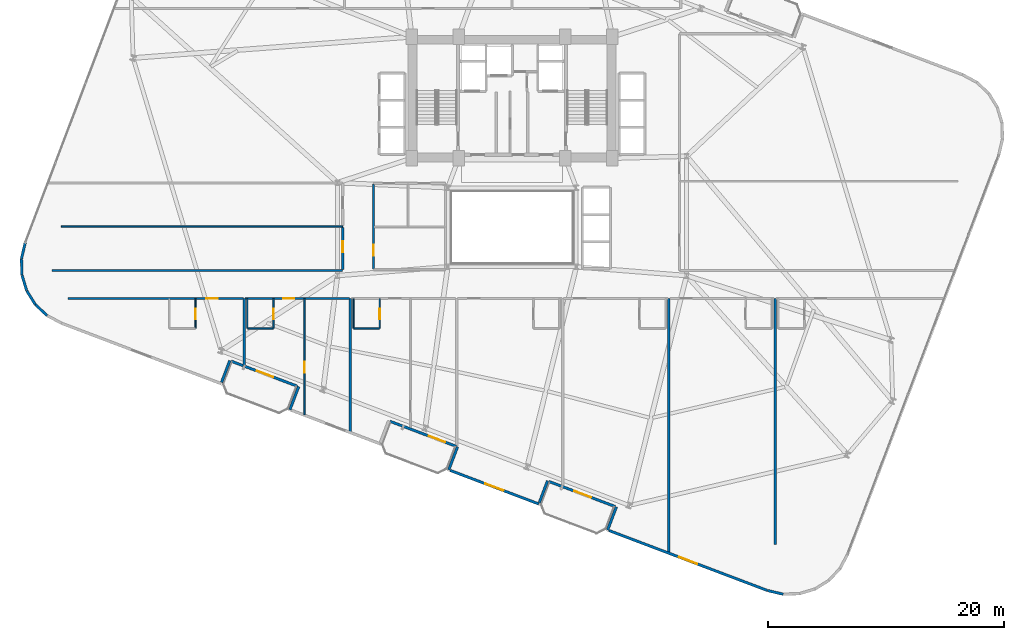
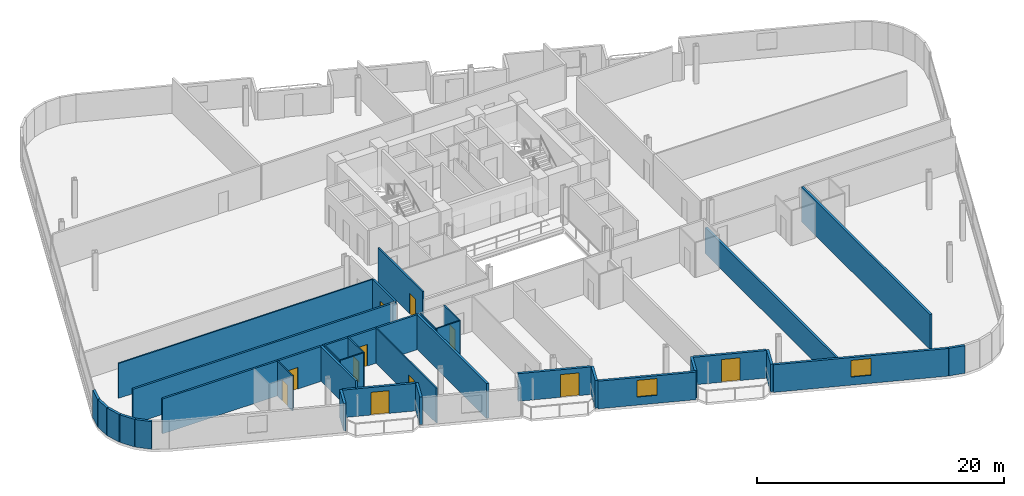
# One storey, part 17 of 25: 34 walls, 11 doors, 2 windows, 13 openings.
"""IFC4 building model written with IfcOpenShell, lengths in metres."""

import ifcopenshell
import ifcopenshell.guid

model = None  # the IFC model being written
_history = None  # IfcOwnerHistory: only IFC2X3 demands one
_inside = {}  # id of a spatial element -> (the spatial element, [elements in it])
_under = {}  # id of a project, library or spatial element -> (it, [spatial elements below it])
_declared = {}  # id of a project -> (the project, [libraries it declares])
_typed = {}  # id of a type object -> (the type object, [elements of that type])
_made_of = {}  # id of a material, layer set ... -> (it, [elements and type objects made of it])


def new_model(schema):
    """Start an empty IFC model of exactly this schema.

    Asked for "IFC4X3", IfcOpenShell would pick the latest addendum, in which some entities
    have other attributes; the version numbers below select the first issue.
    IFC2X3 requires an IfcOwnerHistory on every rooted entity: one is made here for all.
    """
    global model, _history
    if schema == "IFC4X3":
        model = ifcopenshell.file(schema_version=(4, 3, 0, 0))
    else:
        model = ifcopenshell.file(schema=schema)
    _inside.clear()
    _under.clear()
    _declared.clear()
    _typed.clear()
    _made_of.clear()
    _history = None
    if model.schema == "IFC2X3":
        org = make("IfcOrganization", Name="unknown")
        user = make(
            "IfcPersonAndOrganization",
            ThePerson=make("IfcPerson", FamilyName="unknown"),
            TheOrganization=org,
        )
        app = make(
            "IfcApplication",
            ApplicationDeveloper=org,
            Version="unknown",
            ApplicationFullName="unknown",
            ApplicationIdentifier="unknown",
        )
        _history = make(
            "IfcOwnerHistory",
            OwningUser=user,
            OwningApplication=app,
            ChangeAction="ADDED",
            CreationDate=0,
        )
    return model


def make(cls, **values):
    """One entity of the class cls with the attributes given. An attribute that is None is left unset."""
    return model.create_entity(
        cls, **{name: value for name, value in values.items() if value is not None}
    )


def rooted(cls, **values):
    """An entity with a GlobalId (a new one), such as an element, a storey or a relation."""
    return make(cls, GlobalId=ifcopenshell.guid.new(), OwnerHistory=_history, **values)


def si_unit(unit_type, name, prefix=None):
    """IfcSIUnit, for example si_unit("LENGTHUNIT", "METRE", prefix="MILLI")."""
    return make("IfcSIUnit", UnitType=unit_type, Prefix=prefix, Name=name)


def assignment(units):
    """IfcUnitAssignment: the units of a project."""
    return None if units is None else make("IfcUnitAssignment", Units=units)


def point(xyz):
    """IfcCartesianPoint."""
    return None if xyz is None else make("IfcCartesianPoint", Coordinates=xyz)


def direction(xyz):
    """IfcDirection."""
    return None if xyz is None else make("IfcDirection", DirectionRatios=xyz)


def frame(location, z_axis=None, x_axis=None):
    """IfcAxis2Placement3D, a coordinate frame: its origin and axes. An axis left out is left unset."""
    return make(
        "IfcAxis2Placement3D",
        Location=point(location),
        Axis=direction(z_axis),
        RefDirection=direction(x_axis),
    )


def frame_2d(location, x_axis=None):
    """IfcAxis2Placement2D, a coordinate frame in the plane: its origin and x axis."""
    return make(
        "IfcAxis2Placement2D", Location=point(location), RefDirection=direction(x_axis)
    )


def origin():
    """The frame at (0, 0, 0) with its axes left unset."""
    return frame((0.0, 0.0, 0.0))


def place(relative_to, where):
    """IfcLocalPlacement: puts the frame where relative to a parent placement (None: the world)."""
    return make(
        "IfcLocalPlacement", PlacementRelTo=relative_to, RelativePlacement=where
    )


def context(
    kind, dimensions, precision=None, world=None, true_north=None, identifier=None
):
    """IfcGeometricRepresentationContext, for example the 3D "Model" context."""
    return make(
        "IfcGeometricRepresentationContext",
        ContextIdentifier=identifier,
        ContextType=kind,
        CoordinateSpaceDimension=dimensions,
        Precision=precision,
        WorldCoordinateSystem=world,
        TrueNorth=true_north,
    )


def subcontext(parent, identifier, kind, view, scale=None):
    """IfcGeometricRepresentationSubContext, for example "Body" below "Model"."""
    return make(
        "IfcGeometricRepresentationSubContext",
        ContextIdentifier=identifier,
        ContextType=kind,
        ParentContext=parent,
        TargetScale=scale,
        TargetView=view,
    )


def project(units=None, contexts=None):
    """IfcProject with its units and contexts."""
    return rooted(
        "IfcProject",
        Name="project",
        RepresentationContexts=contexts,
        UnitsInContext=assignment(units),
    )


def spatial(cls, under=None, at=None, **own):
    """A site, building, storey or space (cls), placed at a placement, below another one or the project."""
    s = rooted(cls, ObjectPlacement=at, **own)
    if under is not None:
        _under.setdefault(under.id(), (under, []))[1].append(s)
    return s


def profile(cls, at=None, kind="AREA", **sizes):
    """A parametric profile (cls). Its sizes go by their IFC names, for example OverallWidth=200.0."""
    return make(cls, ProfileType=kind, Position=at, **sizes)


def rectangle(**sizes):
    """IfcRectangleProfileDef."""
    return profile("IfcRectangleProfileDef", **sizes)


def extrude(swept, where, along, depth):
    """IfcExtrudedAreaSolid: the profile swept, set in the frame where, extruded along a direction by depth."""
    return make(
        "IfcExtrudedAreaSolid",
        SweptArea=swept,
        Position=where,
        ExtrudedDirection=direction(along),
        Depth=depth,
    )


def shape(context_of_items, identifier, shape_type, items):
    """IfcShapeRepresentation: the items that make up one representation, for example the "Body"."""
    return make(
        "IfcShapeRepresentation",
        ContextOfItems=context_of_items,
        RepresentationIdentifier=identifier,
        RepresentationType=shape_type,
        Items=items,
    )


def material(Name=None, Category=None):
    """IfcMaterial."""
    return make("IfcMaterial", Name=Name, Category=Category)


def layer(
    of_material, thickness, ventilated=None, Name=None, Category=None, Priority=None
):
    """IfcMaterialLayer: one layer of a wall or slab, of a material (None: an air gap)."""
    return make(
        "IfcMaterialLayer",
        Material=of_material,
        LayerThickness=thickness,
        IsVentilated=ventilated,
        Name=Name,
        Category=Category,
        Priority=Priority,
    )


def layer_set(layers, Name=None):
    """IfcMaterialLayerSet."""
    return make("IfcMaterialLayerSet", MaterialLayers=layers, LayerSetName=Name)


def made_of(thing, what):
    """Note that an element or type object is made of a material, layer set ...; save() writes the relation."""
    if what is not None:
        _made_of.setdefault(what.id(), (what, []))[1].append(thing)
    return thing


def type_object(cls, material=None, **own):
    """A type object (cls), such as IfcWallType, which elements share."""
    return made_of(rooted(cls, **own), material)


def element(
    cls,
    number,
    at=None,
    inside=None,
    cuts=None,
    type_object=None,
    material=None,
    context=None,
    identifier="Body",
    shape_type=None,
    held_by="IfcProductDefinitionShape",
    body=None,
    shapes=None,
    **own,
):
    """One element of the class cls, such as IfcWall. Its Tag is "e" and its number.

    at: its placement. inside: the storey or other place that contains it. cuts: it is an
    opening in that element (IfcRelVoidsElement). A single representation is given by context,
    identifier, shape_type and body (its items); several are given by shapes. held_by: the class
    of the entity that holds the representations. save() writes the other relations.
    """
    e = rooted(cls, Tag="e%d" % number, ObjectPlacement=at, **own)
    if body is not None:
        shapes = [shape(context, identifier, shape_type, body)]
    if shapes is not None:
        e.Representation = make(held_by, Representations=shapes)
    if inside is not None:
        _inside.setdefault(inside.id(), (inside, []))[1].append(e)
    if cuts is not None:
        rooted(
            "IfcRelVoidsElement", RelatingBuildingElement=cuts, RelatedOpeningElement=e
        )
    if type_object is not None:
        _typed.setdefault(type_object.id(), (type_object, []))[1].append(e)
    return made_of(e, material)


def fill(opening, filler):
    """IfcRelFillsElement: the door or window that sits in an opening."""
    return rooted(
        "IfcRelFillsElement",
        RelatingOpeningElement=opening,
        RelatedBuildingElement=filler,
    )


def aggregate(whole, parts):
    """IfcRelAggregates: a whole, such as a stair, and the parts it consists of."""
    return rooted("IfcRelAggregates", RelatingObject=whole, RelatedObjects=parts)


def save(model, path):
    """Write the relations noted so far, then the file.

    IfcRelAggregates (storeys below a building ...), IfcRelContainedInSpatialStructure (elements
    in a storey), IfcRelDefinesByType, IfcRelAssociatesMaterial and IfcRelDeclares: one each for
    every whole, place, type object, material and project.
    """
    for whole, parts in _under.values():
        aggregate(whole, parts)
    for where, things in _inside.values():
        rooted(
            "IfcRelContainedInSpatialStructure",
            RelatedElements=things,
            RelatingStructure=where,
        )
    for kind, things in _typed.values():
        rooted("IfcRelDefinesByType", RelatedObjects=things, RelatingType=kind)
    for what, things in _made_of.values():
        rooted("IfcRelAssociatesMaterial", RelatedObjects=things, RelatingMaterial=what)
    for by, libraries in _declared.values():
        rooted("IfcRelDeclares", RelatingContext=by, RelatedDefinitions=libraries)
    model.write(path)


model = new_model("IFC4")

# Units and contexts
model_context = context("Model", 3, precision=1e-05, world=origin(), true_north=direction((0.0, 1.0)))
body_context = subcontext(model_context, "Body", "Model", "MODEL_VIEW")
ifc_project = project(units=[si_unit("LENGTHUNIT", "METRE"), si_unit("AREAUNIT", "SQUARE_METRE"), si_unit("VOLUMEUNIT", "CUBIC_METRE"), si_unit("PLANEANGLEUNIT", "RADIAN"), si_unit("MASSUNIT", "GRAM", prefix="KILO")], contexts=[model_context])

# Site, building, storey
site_placement = place(None, origin())
site = spatial("IfcSite", under=ifc_project, at=site_placement, CompositionType="ELEMENT")
building_placement = place(site_placement, origin())
building = spatial("IfcBuilding", under=site, at=building_placement, Name="Varnelok Gate Tower", CompositionType="ELEMENT")
storey_placement = place(building_placement, frame((0.0, 0.0, 79.89990234375)))
storey = spatial("IfcBuildingStorey", under=building, at=storey_placement, Name="L19", CompositionType="ELEMENT", Elevation=79.89990234375)

# Wall, opening, door
ifc_material_1 = material(Name="Concrete C45/55", Category="concrete")
ifc_layer_1 = layer(ifc_material_1, 0.219970703125)
ifc_layer_set_1 = layer_set([ifc_layer_1], Name="Concrete C45/55")
wall_type_1 = type_object("IfcWallType", Name="EW-BALC-220", PredefinedType="SOLIDWALL", material=ifc_layer_set_1)
wall_1_placement = place(storey_placement, frame((21.00048828125, 9.42529296875, 0.0), z_axis=(0.0, 0.0, 1.0), x_axis=(-0.93521416643, 0.354082565101, 0.0)))
wall_1 = element("IfcWall", 1, at=wall_1_placement, inside=storey, type_object=wall_type_1, Name="L19 South Terrace Envelope Wall 1", PredefinedType="SOLIDWALL", context=body_context, shape_type="SweptSolid", body=[
    extrude(rectangle(XDim=6.0, YDim=0.219970703125, at=frame_2d((3.0, 0.0))), origin(), (0.0, 0.0, 1.0), 2.72998046875),
])
opening_1_placement = place(wall_1_placement, frame((2.176025390625, 0.0, 0.0)))
opening_1 = element("IfcOpeningElement", 2, at=opening_1_placement, cuts=wall_1, Name="Opening BD-1", PredefinedType="OPENING", context=body_context, shape_type="SweptSolid", body=[
    extrude(rectangle(XDim=1.5, YDim=2.25, at=frame_2d((0.75, 1.125))), frame((0.0, 0.119873046875, 0.0), z_axis=(0.0, -1.0, 0.0), x_axis=(1.0, 0.0, 0.0)), (0.0, 0.0, 1.0), 0.239990234375),
])
ifc_material_2 = material(Name="Anodized Aluminum Alloy 6063-T6", Category="aluminium")
door_type_1 = type_object("IfcDoorType", Name="DR-EXT-BALC1500", OperationType="NOTDEFINED", PredefinedType="DOOR", material=ifc_material_2)
door_1_placement = place(opening_1_placement, origin())
door_1 = element("IfcDoor", 3, at=door_1_placement, inside=storey, type_object=door_type_1, Name="L19 South Balcony Glazed Door 1", OperationType="SINGLE_SWING_RIGHT", OverallHeight=2.25, OverallWidth=1.5, PredefinedType="DOOR", context=body_context, shape_type="SweptSolid", body=[
    extrude(rectangle(XDim=1.5, YDim=2.25, at=frame_2d((0.75, 1.125))), frame((0.0, 0.02490234375, 0.0), z_axis=(0.0, -1.0, 0.0), x_axis=(1.0, 0.0, 0.0)), (0.0, 0.0, 1.0), 0.050048828125),
])
fill(opening_1, door_1)

wall_2_placement = place(storey_placement, frame((34.4677734375, 4.326904296875, 0.0), z_axis=(0.0, 0.0, 1.0), x_axis=(-0.9352192676, 0.354069091436, 0.0)))
wall_2 = element("IfcWall", 4, at=wall_2_placement, inside=storey, type_object=wall_type_1, Name="L19 South Terrace Envelope Wall 2", PredefinedType="SOLIDWALL", context=body_context, shape_type="SweptSolid", body=[
    extrude(rectangle(XDim=6.000244140625, YDim=0.219970703125, at=frame_2d((3.0, 0.0))), origin(), (0.0, 0.0, 1.0), 2.72998046875),
])
opening_2_placement = place(wall_2_placement, frame((0.991943359375, 0.0, 0.0)))
opening_2 = element("IfcOpeningElement", 5, at=opening_2_placement, cuts=wall_2, Name="Opening BD-1", PredefinedType="OPENING", context=body_context, shape_type="SweptSolid", body=[
    extrude(rectangle(XDim=1.5, YDim=2.25, at=frame_2d((0.75, 1.125))), frame((0.0, 0.119873046875, 0.0), z_axis=(0.0, -1.0, 0.0), x_axis=(1.0, 0.0, 0.0)), (0.0, 0.0, 1.0), 0.239990234375),
])
door_2_placement = place(opening_2_placement, origin())
door_2 = element("IfcDoor", 6, at=door_2_placement, inside=storey, type_object=door_type_1, Name="L19 South Balcony Glazed Door 2", OperationType="SINGLE_SWING_LEFT", OverallHeight=2.25, OverallWidth=1.5, PredefinedType="DOOR", context=body_context, shape_type="SweptSolid", body=[
    extrude(rectangle(XDim=1.5, YDim=2.25, at=frame_2d((0.75, 1.125))), frame((0.0, 0.02490234375, 0.0), z_axis=(0.0, -1.0, 0.0), x_axis=(1.0, 0.0, 0.0)), (0.0, 0.0, 1.0), 0.050048828125),
])
fill(opening_2, door_2)

wall_3_placement = place(storey_placement, frame((47.934814453125, -0.771484375, 0.0), z_axis=(0.0, 0.0, 1.0), x_axis=(-0.935227640088, 0.354046976001, 0.0)))
wall_3 = element("IfcWall", 7, at=wall_3_placement, inside=storey, type_object=wall_type_1, Name="L19 South Terrace Envelope Wall 3", PredefinedType="SOLIDWALL", context=body_context, shape_type="SweptSolid", body=[
    extrude(rectangle(XDim=6.0, YDim=0.219970703125, at=frame_2d((3.0, 0.0))), origin(), (0.0, 0.0, 1.0), 2.72998046875),
])
opening_3_placement = place(wall_3_placement, frame((2.176025390625, 0.0, 0.0)))
opening_3 = element("IfcOpeningElement", 8, at=opening_3_placement, cuts=wall_3, Name="Opening BD-1", PredefinedType="OPENING", context=body_context, shape_type="SweptSolid", body=[
    extrude(rectangle(XDim=1.5, YDim=2.25, at=frame_2d((0.75, 1.125))), frame((0.0, 0.119873046875, 0.0), z_axis=(0.0, -1.0, 0.0), x_axis=(1.0, 0.0, 0.0)), (0.0, 0.0, 1.0), 0.239990234375),
])
door_3_placement = place(opening_3_placement, origin())
door_3 = element("IfcDoor", 9, at=door_3_placement, inside=storey, type_object=door_type_1, Name="L19 South Balcony Glazed Door 3", OperationType="SINGLE_SWING_RIGHT", OverallHeight=2.25, OverallWidth=1.5, PredefinedType="DOOR", context=body_context, shape_type="SweptSolid", body=[
    extrude(rectangle(XDim=1.5, YDim=2.25, at=frame_2d((0.75, 1.125))), frame((0.0, 0.02490234375, 0.0), z_axis=(0.0, -1.0, 0.0), x_axis=(1.0, 0.0, 0.0)), (0.0, 0.0, 1.0), 0.050048828125),
])
fill(opening_3, door_3)

# Walls
wall_4_placement = place(storey_placement, frame((-2.072509765625, 21.571533203125, 0.0), z_axis=(0.0, 0.0, 1.0), x_axis=(-0.229049207401, -0.973414845063, 0.0)))
element("IfcWall", 10, at=wall_4_placement, inside=storey, type_object=wall_type_1, Name="L19 Perimeter Facade Closure Wall 1", PredefinedType="SOLIDWALL", context=body_context, shape_type="SweptSolid", body=[
    extrude(rectangle(XDim=1.378173828125, YDim=0.219970703125, at=frame_2d((0.68896484375, 0.0))), origin(), (0.0, 0.0, 1.0), 2.72998046875),
])
wall_5_placement = place(storey_placement, frame((-2.387451171875, 20.205078125, 0.0), z_axis=(0.0, 0.0, 1.0), x_axis=(0.030857297317, -0.999523800218, 0.0)))
element("IfcWall", 11, at=wall_5_placement, inside=storey, type_object=wall_type_1, Name="L19 Perimeter Facade Closure Wall 2", PredefinedType="SOLIDWALL", context=body_context, shape_type="SweptSolid", body=[
    extrude(rectangle(XDim=1.35302734375, YDim=0.219970703125, at=frame_2d((0.676513671875, 0.0))), origin(), (0.0, 0.0, 1.0), 2.72998046875),
])
wall_6_placement = place(storey_placement, frame((-2.33837890625, 18.82861328125, 0.0), z_axis=(0.0, 0.0, 1.0), x_axis=(0.288374187109, -0.957517795244, 0.0)))
element("IfcWall", 12, at=wall_6_placement, inside=storey, type_object=wall_type_1, Name="L19 Perimeter Facade Closure Wall 3", PredefinedType="SOLIDWALL", context=body_context, shape_type="SweptSolid", body=[
    extrude(rectangle(XDim=1.352783203125, YDim=0.219970703125, at=frame_2d((0.67626953125, 0.0))), origin(), (0.0, 0.0, 1.0), 2.72998046875),
])
wall_7_placement = place(storey_placement, frame((-1.93505859375, 17.511962890625, 0.0), z_axis=(0.0, 0.0, 1.0), x_axis=(0.526360826676, -0.850261301096, 0.0)))
element("IfcWall", 13, at=wall_7_placement, inside=storey, type_object=wall_type_1, Name="L19 Perimeter Facade Closure Wall 4", PredefinedType="SOLIDWALL", context=body_context, shape_type="SweptSolid", body=[
    extrude(rectangle(XDim=1.35302734375, YDim=0.219970703125, at=frame_2d((0.676513671875, 0.0))), origin(), (0.0, 0.0, 1.0), 2.72998046875),
])
wall_8_placement = place(storey_placement, frame((-1.20458984375, 16.344482421875, 0.0), z_axis=(0.0, 0.0, 1.0), x_axis=(0.7285124142, -0.685032599484, 0.0)))
element("IfcWall", 14, at=wall_8_placement, inside=storey, type_object=wall_type_1, Name="L19 Perimeter Facade Closure Wall 5", PredefinedType="SOLIDWALL", context=body_context, shape_type="SweptSolid", body=[
    extrude(rectangle(XDim=1.353271484375, YDim=0.219970703125, at=frame_2d((0.6767578125, 0.0))), origin(), (0.0, 0.0, 1.0), 2.72998046875),
])
wall_9_placement = place(storey_placement, frame((14.581298828125, 9.754638671875, 0.0), z_axis=(0.0, 0.0, 1.0), x_axis=(0.354061611705, 0.935222099352, 0.0)))
element("IfcWall", 15, at=wall_9_placement, inside=storey, type_object=wall_type_1, Name="L19 Perimeter Facade Closure Wall 8", PredefinedType="SOLIDWALL", context=body_context, shape_type="SweptSolid", body=[
    extrude(rectangle(XDim=1.974853515625, YDim=0.219970703125, at=frame_2d((0.9873046875, 0.0))), origin(), (0.0, 0.0, 1.0), 2.72998046875),
])
wall_10_placement = place(storey_placement, frame((21.1162109375, 9.392333984375, 0.0), z_axis=(0.0, 0.0, 1.0), x_axis=(-0.353988291547, -0.935249854022, 0.0)))
element("IfcWall", 16, at=wall_10_placement, inside=storey, type_object=wall_type_1, Name="L19 Perimeter Facade Closure Wall 9", PredefinedType="SOLIDWALL", context=body_context, shape_type="SweptSolid", body=[
    extrude(rectangle(XDim=2.10009765625, YDim=0.219970703125, at=frame_2d((1.050048828125, 0.0))), origin(), (0.0, 0.0, 1.0), 2.72998046875),
])
wall_11_placement = place(storey_placement, frame((34.58349609375, 4.293701171875, 0.0), z_axis=(0.0, 0.0, 1.0), x_axis=(-0.354128469405, -0.935196785258, 0.0)))
element("IfcWall", 17, at=wall_11_placement, inside=storey, type_object=wall_type_1, Name="L19 Perimeter Facade Closure Wall 12", PredefinedType="SOLIDWALL", context=body_context, shape_type="SweptSolid", body=[
    extrude(rectangle(XDim=2.099853515625, YDim=0.219970703125, at=frame_2d((1.0498046875, 0.0))), origin(), (0.0, 0.0, 1.0), 2.72998046875),
])

# Wall, opening, window
wall_12_placement = place(storey_placement, frame((33.956787109375, 2.28564453125, 0.0), z_axis=(0.0, 0.0, 1.0), x_axis=(0.935220736163, -0.354065212427, 0.0)))
wall_12 = element("IfcWall", 18, at=wall_12_placement, inside=storey, type_object=wall_type_1, Name="L19 Perimeter Facade Closure Wall 13", PredefinedType="SOLIDWALL", context=body_context, shape_type="SweptSolid", body=[
    extrude(rectangle(XDim=8.03515625, YDim=0.219970703125, at=frame_2d((4.017578125, 0.0))), origin(), (0.0, 0.0, 1.0), 2.72998046875),
])
opening_4_placement = place(wall_12_placement, frame((3.1923828125, 0.0, 0.800048828125)))
opening_4 = element("IfcOpeningElement", 19, at=opening_4_placement, cuts=wall_12, Name="Opening WN3", PredefinedType="OPENING", context=body_context, shape_type="SweptSolid", body=[
    extrude(rectangle(XDim=1.64990234375, YDim=1.64990234375, at=frame_2d((0.824951171875, 0.824951171875))), frame((0.0, 0.119873046875, 0.0), z_axis=(0.0, -1.0, 0.0), x_axis=(1.0, 0.0, 0.0)), (0.0, 0.0, 1.0), 0.239990234375),
])
ifc_material_3 = material(Name="Low-E Laminated Double Glazing IGU", Category="glass")
window_type = type_object("IfcWindowType", Name="WN-HTL-1650", PartitioningType="SINGLE_PANEL", PredefinedType="WINDOW", material=ifc_material_3)
window_1_placement = place(opening_4_placement, origin())
window_1 = element("IfcWindow", 20, at=window_1_placement, inside=storey, type_object=window_type, Name="L19 Perimeter Vision Window 13", OverallHeight=1.64990234375, OverallWidth=1.64990234375, PartitioningType="SINGLE_PANEL", PredefinedType="WINDOW", context=body_context, shape_type="SweptSolid", body=[
    extrude(rectangle(XDim=1.64990234375, YDim=1.64990234375, at=frame_2d((0.824951171875, 0.824951171875))), frame((0.0, 0.030029296875, 0.0), z_axis=(0.0, -1.0, 0.0), x_axis=(1.0, 0.0, 0.0)), (0.0, 0.0, 1.0), 0.06005859375),
])
fill(opening_4, window_1)

# Walls
wall_13_placement = place(storey_placement, frame((41.515625, -0.4423828125, 0.0), z_axis=(0.0, 0.0, 1.0), x_axis=(0.354061611705, 0.935222099352, 0.0)))
element("IfcWall", 21, at=wall_13_placement, inside=storey, type_object=wall_type_1, Name="L19 Perimeter Facade Closure Wall 14", PredefinedType="SOLIDWALL", context=body_context, shape_type="SweptSolid", body=[
    extrude(rectangle(XDim=1.974853515625, YDim=0.219970703125, at=frame_2d((0.9873046875, 0.0))), origin(), (0.0, 0.0, 1.0), 2.72998046875),
])
wall_14_placement = place(storey_placement, frame((48.050537109375, -0.8046875, 0.0), z_axis=(0.0, 0.0, 1.0), x_axis=(-0.353988291547, -0.935249854022, 0.0)))
element("IfcWall", 22, at=wall_14_placement, inside=storey, type_object=wall_type_1, Name="L19 Perimeter Facade Closure Wall 15", PredefinedType="SOLIDWALL", context=body_context, shape_type="SweptSolid", body=[
    extrude(rectangle(XDim=2.10009765625, YDim=0.219970703125, at=frame_2d((1.050048828125, 0.0))), origin(), (0.0, 0.0, 1.0), 2.72998046875),
])

# Wall, opening, window
wall_15_placement = place(storey_placement, frame((47.424072265625, -2.81298828125, 0.0), z_axis=(0.0, 0.0, 1.0), x_axis=(0.935225962032, -0.354051408614, 0.0)))
wall_15 = element("IfcWall", 23, at=wall_15_placement, inside=storey, type_object=wall_type_1, Name="L19 Perimeter Facade Closure Wall 16", PredefinedType="SOLIDWALL", context=body_context, shape_type="SweptSolid", body=[
    extrude(rectangle(XDim=14.346923828125, YDim=0.219970703125, at=frame_2d((7.17333984375, 0.0))), origin(), (0.0, 0.0, 1.0), 2.72998046875),
])
opening_5_placement = place(wall_15_placement, frame((6.348388671875, 0.0, 0.800048828125)))
opening_5 = element("IfcOpeningElement", 24, at=opening_5_placement, cuts=wall_15, Name="Opening WN3", PredefinedType="OPENING", context=body_context, shape_type="SweptSolid", body=[
    extrude(rectangle(XDim=1.64990234375, YDim=1.64990234375, at=frame_2d((0.824951171875, 0.824951171875))), frame((0.0, 0.119873046875, 0.0), z_axis=(0.0, -1.0, 0.0), x_axis=(1.0, 0.0, 0.0)), (0.0, 0.0, 1.0), 0.239990234375),
])
window_2_placement = place(opening_5_placement, origin())
window_2 = element("IfcWindow", 25, at=window_2_placement, inside=storey, type_object=window_type, Name="L19 Perimeter Vision Window 16", OverallHeight=1.64990234375, OverallWidth=1.64990234375, PartitioningType="SINGLE_PANEL", PredefinedType="WINDOW", context=body_context, shape_type="SweptSolid", body=[
    extrude(rectangle(XDim=1.64990234375, YDim=1.64990234375, at=frame_2d((0.824951171875, 0.824951171875))), frame((0.0, 0.030029296875, 0.0), z_axis=(0.0, -1.0, 0.0), x_axis=(1.0, 0.0, 0.0)), (0.0, 0.0, 1.0), 0.06005859375),
])
fill(opening_5, window_2)

# Wall
wall_16_placement = place(storey_placement, frame((60.8662109375, -7.8984375, 0.0), z_axis=(0.0, 0.0, 1.0), x_axis=(0.973405403345, -0.229089329169, 0.0)))
element("IfcWall", 26, at=wall_16_placement, inside=storey, type_object=wall_type_1, Name="L19 Perimeter Facade Closure Wall 17", PredefinedType="SOLIDWALL", context=body_context, shape_type="SweptSolid", body=[
    extrude(rectangle(XDim=1.36083984375, YDim=0.219970703125, at=frame_2d((0.680419921875, 0.0))), origin(), (0.0, 0.0, 1.0), 2.72998046875),
])

# Wall, opening, door
ifc_material_4 = material(Name="Gypsum Plasterboard Acoustic Partition", Category="gypsum")
ifc_layer_2 = layer(ifc_material_4, 0.179931640625)
ifc_layer_set_2 = layer_set([ifc_layer_2], Name="Gypsum Plasterboard Acoustic Partition")
wall_type_2 = type_object("IfcWallType", Name="PW-CORR-180", PredefinedType="PARTITIONING", material=ifc_layer_set_2)
wall_17_placement = place(storey_placement, frame((1.580078125, 16.85009765625, 0.0), z_axis=(0.0, 0.0, 1.0), x_axis=(1.0, 0.0, 0.0)))
wall_17 = element("IfcWall", 27, at=wall_17_placement, inside=storey, type_object=wall_type_2, Name="Interior Partition", PredefinedType="PARTITIONING", context=body_context, shape_type="SweptSolid", body=[
    extrude(rectangle(XDim=14.83984375, YDim=0.179931640625, at=frame_2d((7.419921875, 0.0))), origin(), (0.0, 0.0, 1.0), 3.4501953125),
])
opening_6_placement = place(wall_17_placement, frame((11.70458984375, 0.0, 0.0)))
opening_6 = element("IfcOpeningElement", 28, at=opening_6_placement, cuts=wall_17, Name="Opening D-HT", PredefinedType="OPENING", context=body_context, shape_type="SweptSolid", body=[
    extrude(rectangle(XDim=0.949951171875, YDim=2.14990234375, at=frame_2d((0.47509765625, 1.074951171875))), frame((0.0, 0.099853515625, 0.0), z_axis=(0.0, -1.0, 0.0), x_axis=(1.0, 0.0, 0.0)), (0.0, 0.0, 1.0), 0.199951171875),
])
ifc_material_5 = material(Name="Engineered Hardwood Timber", Category="wood")
door_type_2 = type_object("IfcDoorType", Name="DR-HTL-950", OperationType="NOTDEFINED", PredefinedType="DOOR", material=ifc_material_5)
door_4_placement = place(opening_6_placement, origin())
door_4 = element("IfcDoor", 29, at=door_4_placement, inside=storey, type_object=door_type_2, Name="L19 Guest Room 01 Entrance Door", OperationType="SINGLE_SWING_RIGHT", OverallHeight=2.14990234375, OverallWidth=0.949951171875, PredefinedType="DOOR", context=body_context, shape_type="SweptSolid", body=[
    extrude(rectangle(XDim=0.949951171875, YDim=2.14990234375, at=frame_2d((0.47509765625, 1.074951171875))), frame((0.0, 0.02490234375, 0.0), z_axis=(0.0, -1.0, 0.0), x_axis=(1.0, 0.0, 0.0)), (0.0, 0.0, 1.0), 0.050048828125),
])
fill(opening_6, door_4)

wall_18_placement = place(storey_placement, frame((16.580078125, 16.85009765625, 0.0), z_axis=(0.0, 0.0, 1.0), x_axis=(1.0, 0.0, 0.0)))
wall_18 = element("IfcWall", 30, at=wall_18_placement, inside=storey, type_object=wall_type_2, Name="Interior Partition", PredefinedType="PARTITIONING", context=body_context, shape_type="SweptSolid", body=[
    extrude(rectangle(XDim=8.83984375, YDim=0.179931640625, at=frame_2d((4.419921875, 0.0))), origin(), (0.0, 0.0, 1.0), 3.4501953125),
])
opening_7_placement = place(wall_18_placement, frame((3.22998046875, 0.0, 0.0)))
opening_7 = element("IfcOpeningElement", 31, at=opening_7_placement, cuts=wall_18, Name="Opening D-HT", PredefinedType="OPENING", context=body_context, shape_type="SweptSolid", body=[
    extrude(rectangle(XDim=0.949951171875, YDim=2.14990234375, at=frame_2d((0.47509765625, 1.074951171875))), frame((0.0, 0.099853515625, 0.0), z_axis=(0.0, -1.0, 0.0), x_axis=(1.0, 0.0, 0.0)), (0.0, 0.0, 1.0), 0.199951171875),
])
door_5_placement = place(opening_7_placement, origin())
door_5 = element("IfcDoor", 32, at=door_5_placement, inside=storey, type_object=door_type_2, Name="L19 Guest Room 02 Entrance Door", OperationType="SINGLE_SWING_LEFT", OverallHeight=2.14990234375, OverallWidth=0.949951171875, PredefinedType="DOOR", context=body_context, shape_type="SweptSolid", body=[
    extrude(rectangle(XDim=0.949951171875, YDim=2.14990234375, at=frame_2d((0.47509765625, 1.074951171875))), frame((0.0, 0.02490234375, 0.0), z_axis=(0.0, -1.0, 0.0), x_axis=(1.0, 0.0, 0.0)), (0.0, 0.0, 1.0), 0.050048828125),
])
fill(opening_7, door_5)

wall_19_placement = place(storey_placement, frame((24.85009765625, 19.300048828125, 0.0), z_axis=(0.0, 0.0, 1.0), x_axis=(0.0, 1.0, 0.0)))
wall_19 = element("IfcWall", 33, at=wall_19_placement, inside=storey, type_object=wall_type_2, Name="Interior Partition", PredefinedType="PARTITIONING", context=body_context, shape_type="SweptSolid", body=[
    extrude(rectangle(XDim=3.570068359375, YDim=0.179931640625, at=frame_2d((1.78515625, 0.0))), origin(), (0.0, 0.0, 1.0), 3.4501953125),
])
opening_8_placement = place(wall_19_placement, frame((1.49951171875, 0.0, 0.0)))
opening_8 = element("IfcOpeningElement", 34, at=opening_8_placement, cuts=wall_19, Name="Opening D-I3", PredefinedType="OPENING", context=body_context, shape_type="SweptSolid", body=[
    extrude(rectangle(XDim=0.919921875, YDim=2.050048828125, at=frame_2d((0.4599609375, 1.02490234375))), frame((0.0, 0.099853515625, 0.0), z_axis=(0.0, -1.0, 0.0), x_axis=(1.0, 0.0, 0.0)), (0.0, 0.0, 1.0), 0.199951171875),
])
door_type_3 = type_object("IfcDoorType", Name="DR-INT-920", OperationType="NOTDEFINED", PredefinedType="DOOR", material=ifc_material_5)
door_6_placement = place(opening_8_placement, origin())
door_6 = element("IfcDoor", 35, at=door_6_placement, inside=storey, type_object=door_type_3, Name="L19 West Wing Room 1 Door", OperationType="SINGLE_SWING_LEFT", OverallHeight=2.050048828125, OverallWidth=0.919921875, PredefinedType="DOOR", context=body_context, shape_type="SweptSolid", body=[
    extrude(rectangle(XDim=0.919921875, YDim=2.050048828125, at=frame_2d((0.4599609375, 1.02490234375))), frame((0.0, 0.02490234375, 0.0), z_axis=(0.0, -1.0, 0.0), x_axis=(1.0, 0.0, 0.0)), (0.0, 0.0, 1.0), 0.050048828125),
])
fill(opening_8, door_6)

# Wall
wall_20_placement = place(storey_placement, frame((0.199951171875, 19.239990234375, 0.0), z_axis=(0.0, 0.0, 1.0), x_axis=(1.0, 0.0, 0.0)))
element("IfcWall", 36, at=wall_20_placement, inside=storey, type_object=wall_type_2, Name="Interior Partition", PredefinedType="PARTITIONING", context=body_context, shape_type="SweptSolid", body=[
    extrude(rectangle(XDim=24.650146484375, YDim=0.179931640625, at=frame_2d((12.3251953125, 0.0))), origin(), (0.0, 0.0, 1.0), 3.4501953125),
])

# Wall, opening, door
ifc_layer_3 = layer(ifc_material_4, 0.114990234375)
ifc_layer_set_3 = layer_set([ifc_layer_3], Name="Gypsum Plasterboard Acoustic Partition")
wall_type_3 = type_object("IfcWallType", Name="PW-ENS-125", PredefinedType="PARTITIONING", material=ifc_layer_set_3)
wall_21_placement = place(storey_placement, frame((12.3701171875, 14.330078125, 0.0), z_axis=(0.0, 0.0, 1.0), x_axis=(0.0, 1.0, 0.0)))
wall_21 = element("IfcWall", 37, at=wall_21_placement, inside=storey, type_object=wall_type_3, Name="Interior Partition", PredefinedType="PARTITIONING", context=body_context, shape_type="SweptSolid", body=[
    extrude(rectangle(XDim=2.52001953125, YDim=0.114990234375, at=frame_2d((1.260009765625, 0.0))), origin(), (0.0, 0.0, 1.0), 3.4501953125),
])
opening_9_placement = place(wall_21_placement, frame((0.760009765625, 0.0, 0.0)))
opening_9 = element("IfcOpeningElement", 38, at=opening_9_placement, cuts=wall_21, Name="Opening D-WC", PredefinedType="OPENING", context=body_context, shape_type="SweptSolid", body=[
    extrude(rectangle(XDim=0.89990234375, YDim=2.050048828125, at=frame_2d((0.449951171875, 1.02490234375))), frame((0.0, 0.0673828125, 0.0), z_axis=(0.0, -1.0, 0.0), x_axis=(1.0, 0.0, 0.0)), (0.0, 0.0, 1.0), 0.135009765625),
])
door_type_4 = type_object("IfcDoorType", Name="DR-BATH-900", OperationType="NOTDEFINED", PredefinedType="DOOR", material=ifc_material_5)
door_7_placement = place(opening_9_placement, origin())
door_7 = element("IfcDoor", 39, at=door_7_placement, inside=storey, type_object=door_type_4, Name="L19 Guest En-Suite 01 Door", OperationType="SINGLE_SWING_LEFT", OverallHeight=2.050048828125, OverallWidth=0.89990234375, PredefinedType="DOOR", context=body_context, shape_type="SweptSolid", body=[
    extrude(rectangle(XDim=0.89990234375, YDim=2.050048828125, at=frame_2d((0.449951171875, 1.02490234375))), frame((0.0, 0.02490234375, 0.0), z_axis=(0.0, -1.0, 0.0), x_axis=(1.0, 0.0, 0.0)), (0.0, 0.0, 1.0), 0.050048828125),
])
fill(opening_9, door_7)

# Wall
wall_22_placement = place(storey_placement, frame((16.800048828125, 14.330078125, 0.0), z_axis=(0.0, 0.0, 1.0), x_axis=(1.0, 0.0, 0.0)))
element("IfcWall", 40, at=wall_22_placement, inside=storey, type_object=wall_type_3, Name="Interior Partition", PredefinedType="PARTITIONING", context=body_context, shape_type="SweptSolid", body=[
    extrude(rectangle(XDim=2.14990234375, YDim=0.114990234375, at=frame_2d((1.074951171875, 0.0))), origin(), (0.0, 0.0, 1.0), 3.4501953125),
])

# Wall, opening, door
wall_23_placement = place(storey_placement, frame((18.989990234375, 14.330078125, 0.0), z_axis=(0.0, 0.0, 1.0), x_axis=(0.0, 1.0, 0.0)))
wall_23 = element("IfcWall", 41, at=wall_23_placement, inside=storey, type_object=wall_type_3, Name="Interior Partition", PredefinedType="PARTITIONING", context=body_context, shape_type="SweptSolid", body=[
    extrude(rectangle(XDim=2.52001953125, YDim=0.114990234375, at=frame_2d((1.260009765625, 0.0))), origin(), (0.0, 0.0, 1.0), 3.4501953125),
])
opening_10_placement = place(wall_23_placement, frame((0.760009765625, 0.0, 0.0)))
opening_10 = element("IfcOpeningElement", 42, at=opening_10_placement, cuts=wall_23, Name="Opening D-WC", PredefinedType="OPENING", context=body_context, shape_type="SweptSolid", body=[
    extrude(rectangle(XDim=0.89990234375, YDim=2.050048828125, at=frame_2d((0.449951171875, 1.02490234375))), frame((0.0, 0.0673828125, 0.0), z_axis=(0.0, -1.0, 0.0), x_axis=(1.0, 0.0, 0.0)), (0.0, 0.0, 1.0), 0.135009765625),
])
door_8_placement = place(opening_10_placement, origin())
door_8 = element("IfcDoor", 43, at=door_8_placement, inside=storey, type_object=door_type_4, Name="L19 Guest En-Suite 02 Door", OperationType="SINGLE_SWING_LEFT", OverallHeight=2.050048828125, OverallWidth=0.89990234375, PredefinedType="DOOR", context=body_context, shape_type="SweptSolid", body=[
    extrude(rectangle(XDim=0.89990234375, YDim=2.050048828125, at=frame_2d((0.449951171875, 1.02490234375))), frame((0.0, 0.02490234375, 0.0), z_axis=(0.0, -1.0, 0.0), x_axis=(1.0, 0.0, 0.0)), (0.0, 0.0, 1.0), 0.050048828125),
])
fill(opening_10, door_8)

# Walls
wall_24_placement = place(storey_placement, frame((16.760009765625, 14.330078125, 0.0), z_axis=(0.0, 0.0, 1.0), x_axis=(0.0, 1.0, 0.0)))
element("IfcWall", 44, at=wall_24_placement, inside=storey, type_object=wall_type_3, Name="Interior Partition", PredefinedType="PARTITIONING", context=body_context, shape_type="SweptSolid", body=[
    extrude(rectangle(XDim=2.52001953125, YDim=0.114990234375, at=frame_2d((1.260009765625, 0.0))), origin(), (0.0, 0.0, 1.0), 3.4501953125),
])
wall_25_placement = place(storey_placement, frame((25.800048828125, 14.330078125, 0.0), z_axis=(0.0, 0.0, 1.0), x_axis=(1.0, 0.0, 0.0)))
element("IfcWall", 45, at=wall_25_placement, inside=storey, type_object=wall_type_3, Name="Interior Partition", PredefinedType="PARTITIONING", context=body_context, shape_type="SweptSolid", body=[
    extrude(rectangle(XDim=2.14990234375, YDim=0.114990234375, at=frame_2d((1.074951171875, 0.0))), origin(), (0.0, 0.0, 1.0), 3.4501953125),
])

# Wall, opening, door
wall_26_placement = place(storey_placement, frame((27.989990234375, 14.330078125, 0.0), z_axis=(0.0, 0.0, 1.0), x_axis=(0.0, 1.0, 0.0)))
wall_26 = element("IfcWall", 46, at=wall_26_placement, inside=storey, type_object=wall_type_3, Name="Interior Partition", PredefinedType="PARTITIONING", context=body_context, shape_type="SweptSolid", body=[
    extrude(rectangle(XDim=2.52001953125, YDim=0.114990234375, at=frame_2d((1.260009765625, 0.0))), origin(), (0.0, 0.0, 1.0), 3.4501953125),
])
opening_11_placement = place(wall_26_placement, frame((0.760009765625, 0.0, 0.0)))
opening_11 = element("IfcOpeningElement", 47, at=opening_11_placement, cuts=wall_26, Name="Opening D-WC", PredefinedType="OPENING", context=body_context, shape_type="SweptSolid", body=[
    extrude(rectangle(XDim=0.89990234375, YDim=2.050048828125, at=frame_2d((0.449951171875, 1.02490234375))), frame((0.0, 0.0673828125, 0.0), z_axis=(0.0, -1.0, 0.0), x_axis=(1.0, 0.0, 0.0)), (0.0, 0.0, 1.0), 0.135009765625),
])
door_9_placement = place(opening_11_placement, origin())
door_9 = element("IfcDoor", 48, at=door_9_placement, inside=storey, type_object=door_type_4, Name="L19 Guest En-Suite 03 Door", OperationType="SINGLE_SWING_LEFT", OverallHeight=2.050048828125, OverallWidth=0.89990234375, PredefinedType="DOOR", context=body_context, shape_type="SweptSolid", body=[
    extrude(rectangle(XDim=0.89990234375, YDim=2.050048828125, at=frame_2d((0.449951171875, 1.02490234375))), frame((0.0, 0.02490234375, 0.0), z_axis=(0.0, -1.0, 0.0), x_axis=(1.0, 0.0, 0.0)), (0.0, 0.0, 1.0), 0.050048828125),
])
fill(opening_11, door_9)

# Wall
wall_27_placement = place(storey_placement, frame((25.760009765625, 14.330078125, 0.0), z_axis=(0.0, 0.0, 1.0), x_axis=(0.0, 1.0, 0.0)))
element("IfcWall", 49, at=wall_27_placement, inside=storey, type_object=wall_type_3, Name="Interior Partition", PredefinedType="PARTITIONING", context=body_context, shape_type="SweptSolid", body=[
    extrude(rectangle(XDim=2.52001953125, YDim=0.114990234375, at=frame_2d((1.260009765625, 0.0))), origin(), (0.0, 0.0, 1.0), 3.4501953125),
])

# Wall, opening, door
ifc_layer_4 = layer(ifc_material_4, 0.125)
ifc_layer_set_4 = layer_set([ifc_layer_4], Name="Gypsum Plasterboard Acoustic Partition")
wall_type_4 = type_object("IfcWallType", Name="PW-PART-125", PredefinedType="PARTITIONING", material=ifc_layer_set_4)
wall_28_placement = place(storey_placement, frame((21.60009765625, 6.985107421875, 0.0), z_axis=(0.0, 0.0, 1.0), x_axis=(0.0, 1.0, 0.0)))
wall_28 = element("IfcWall", 50, at=wall_28_placement, inside=storey, type_object=wall_type_4, Name="Interior Partition", PredefinedType="PARTITIONING", context=body_context, shape_type="SweptSolid", body=[
    extrude(rectangle(XDim=9.864990234375, YDim=0.125, at=frame_2d((4.9326171875, 0.0))), origin(), (0.0, 0.0, 1.0), 3.4501953125),
])
opening_12_placement = place(wall_28_placement, frame((3.578125, 0.0, 0.0)))
opening_12 = element("IfcOpeningElement", 51, at=opening_12_placement, cuts=wall_28, Name="Opening D-I3", PredefinedType="OPENING", context=body_context, shape_type="SweptSolid", body=[
    extrude(rectangle(XDim=0.919921875, YDim=2.050048828125, at=frame_2d((0.4599609375, 1.02490234375))), frame((0.0, 0.072509765625, 0.0), z_axis=(0.0, -1.0, 0.0), x_axis=(1.0, 0.0, 0.0)), (0.0, 0.0, 1.0), 0.14501953125),
])
door_10_placement = place(opening_12_placement, origin())
door_10 = element("IfcDoor", 52, at=door_10_placement, inside=storey, type_object=door_type_3, Name="L19 Suite Bedroom Door 2", OperationType="SINGLE_SWING_LEFT", OverallHeight=2.050048828125, OverallWidth=0.919921875, PredefinedType="DOOR", context=body_context, shape_type="SweptSolid", body=[
    extrude(rectangle(XDim=0.919921875, YDim=2.050048828125, at=frame_2d((0.4599609375, 1.02490234375))), frame((0.0, 0.02490234375, 0.0), z_axis=(0.0, -1.0, 0.0), x_axis=(1.0, 0.0, 0.0)), (0.0, 0.0, 1.0), 0.050048828125),
])
fill(opening_12, door_10)

# Wall
wall_29_placement = place(storey_placement, frame((1.0, 22.949951171875, 0.0), z_axis=(0.0, 0.0, 1.0), x_axis=(1.0, 0.0, 0.0)))
element("IfcWall", 53, at=wall_29_placement, inside=storey, type_object=wall_type_4, Name="Interior Partition", PredefinedType="PARTITIONING", context=body_context, shape_type="SweptSolid", body=[
    extrude(rectangle(XDim=23.85009765625, YDim=0.125, at=frame_2d((11.925048828125, 0.0))), origin(), (0.0, 0.0, 1.0), 3.4501953125),
])

# Wall, opening, door
ifc_layer_5 = layer(ifc_material_4, 0.14990234375)
ifc_layer_set_5 = layer_set([ifc_layer_5], Name="Gypsum Plasterboard Acoustic Partition")
wall_type_5 = type_object("IfcWallType", Name="PW-PART-150", PredefinedType="PARTITIONING", material=ifc_layer_set_5)
wall_30_placement = place(storey_placement, frame((27.4599609375, 19.3798828125, 0.0), z_axis=(0.0, 0.0, 1.0), x_axis=(0.0, 1.0, 0.0)))
wall_30 = element("IfcWall", 54, at=wall_30_placement, inside=storey, type_object=wall_type_5, Name="Interior Partition", PredefinedType="PARTITIONING", context=body_context, shape_type="SweptSolid", body=[
    extrude(rectangle(XDim=7.16015625, YDim=0.14990234375, at=frame_2d((3.580078125, 0.0))), origin(), (0.0, 0.0, 1.0), 3.4501953125),
])
opening_13_placement = place(wall_30_placement, frame((1.10009765625, 0.0, 0.0)))
opening_13 = element("IfcOpeningElement", 55, at=opening_13_placement, cuts=wall_30, Name="Opening D-I2", PredefinedType="OPENING", context=body_context, shape_type="SweptSolid", body=[
    extrude(rectangle(XDim=0.949951171875, YDim=2.050048828125, at=frame_2d((0.47509765625, 1.02490234375))), frame((0.0, 0.0849609375, 0.0), z_axis=(0.0, -1.0, 0.0), x_axis=(1.0, 0.0, 0.0)), (0.0, 0.0, 1.0), 0.169921875),
])
door_type_5 = type_object("IfcDoorType", Name="DR-INT-950", OperationType="NOTDEFINED", PredefinedType="DOOR", material=ifc_material_5)
door_11_placement = place(opening_13_placement, origin())
door_11 = element("IfcDoor", 56, at=door_11_placement, inside=storey, type_object=door_type_5, Name="L19 Private Client Consultation Office Door", OperationType="SINGLE_SWING_LEFT", OverallHeight=2.050048828125, OverallWidth=0.949951171875, PredefinedType="DOOR", context=body_context, shape_type="SweptSolid", body=[
    extrude(rectangle(XDim=0.949951171875, YDim=2.050048828125, at=frame_2d((0.47509765625, 1.02490234375))), frame((0.0, 0.02490234375, 0.0), z_axis=(0.0, -1.0, 0.0), x_axis=(1.0, 0.0, 0.0)), (0.0, 0.0, 1.0), 0.050048828125),
])
fill(opening_13, door_11)

# Walls
ifc_layer_6 = layer(ifc_material_4, 0.205078125)
ifc_layer_set_6 = layer_set([ifc_layer_6], Name="Gypsum Plasterboard Acoustic Partition")
wall_type_6 = type_object("IfcWallType", Name="PW-PARTY-200", PredefinedType="PARTITIONING", material=ifc_layer_set_6)
wall_31_placement = place(storey_placement, frame((16.5, 11.161376953125, 0.0), z_axis=(0.0, 0.0, 1.0), x_axis=(0.0, 1.0, 0.0)))
element("IfcWall", 57, at=wall_31_placement, inside=storey, type_object=wall_type_6, Name="L19 South Party Wall 1", PredefinedType="PARTITIONING", context=body_context, shape_type="SweptSolid", body=[
    extrude(rectangle(XDim=5.688720703125, YDim=0.205078125, at=frame_2d((2.84423828125, 0.0))), origin(), (0.0, 0.0, 1.0), 3.4501953125),
])
wall_32_placement = place(storey_placement, frame((25.5, 5.508544921875, 0.0), z_axis=(0.0, 0.0, 1.0), x_axis=(0.0, 1.0, 0.0)))
element("IfcWall", 58, at=wall_32_placement, inside=storey, type_object=wall_type_6, Name="L19 South Party Wall 2", PredefinedType="PARTITIONING", context=body_context, shape_type="SweptSolid", body=[
    extrude(rectangle(XDim=11.341552734375, YDim=0.205078125, at=frame_2d((5.6708984375, 0.0))), origin(), (0.0, 0.0, 1.0), 3.4501953125),
])
wall_33_placement = place(storey_placement, frame((52.5, -4.629638671875, 0.0), z_axis=(0.0, 0.0, 1.0), x_axis=(0.0, 1.0, 0.0)))
element("IfcWall", 59, at=wall_33_placement, inside=storey, type_object=wall_type_6, Name="L19 South Party Wall 5", PredefinedType="PARTITIONING", context=body_context, shape_type="SweptSolid", body=[
    extrude(rectangle(XDim=21.479736328125, YDim=0.205078125, at=frame_2d((10.73974609375, 0.0))), origin(), (0.0, 0.0, 1.0), 2.580078125),
])
wall_34_placement = place(storey_placement, frame((61.5, -4.0, 0.0), z_axis=(0.0, 0.0, 1.0), x_axis=(0.0, 1.0, 0.0)))
element("IfcWall", 60, at=wall_34_placement, inside=storey, type_object=wall_type_6, Name="L19 South Party Wall 6", PredefinedType="PARTITIONING", context=body_context, shape_type="SweptSolid", body=[
    extrude(rectangle(XDim=20.85009765625, YDim=0.205078125, at=frame_2d((10.425048828125, 0.0))), origin(), (0.0, 0.0, 1.0), 3.4501953125),
])

save(model, "model.ifc")
